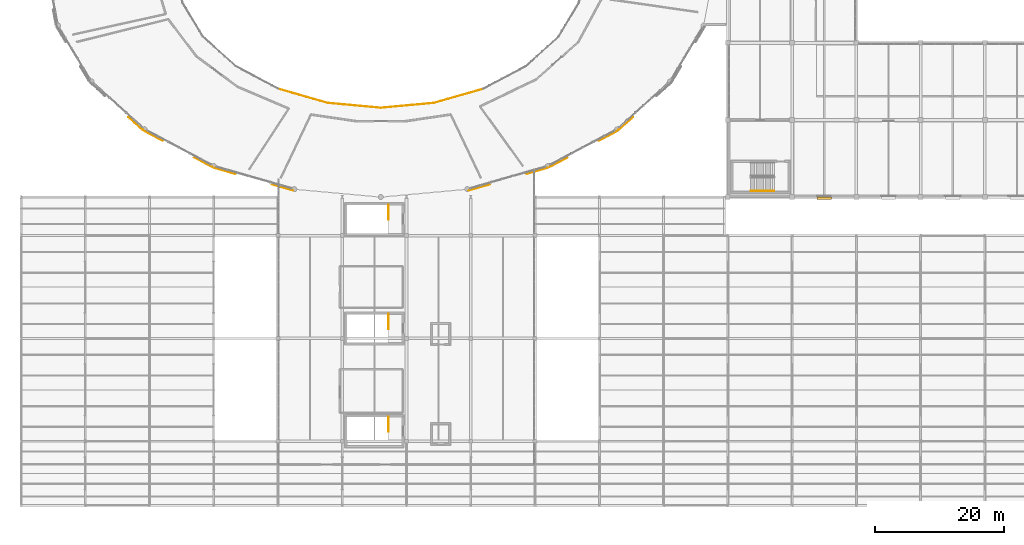
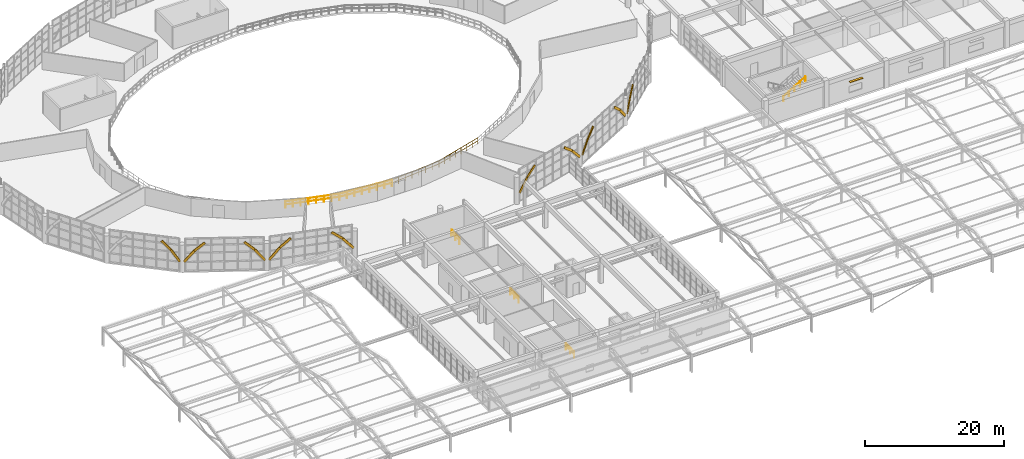
# One storey, part 99 of 109: 20 coverings, 8 railings, 1 shading device.
"""IFC4 building model written with IfcOpenShell, lengths in metres."""

import ifcopenshell
import ifcopenshell.guid

model = None  # the IFC model being written
_history = None  # IfcOwnerHistory: only IFC2X3 demands one
_inside = {}  # id of a spatial element -> (the spatial element, [elements in it])
_under = {}  # id of a project, library or spatial element -> (it, [spatial elements below it])
_declared = {}  # id of a project -> (the project, [libraries it declares])
_typed = {}  # id of a type object -> (the type object, [elements of that type])
_made_of = {}  # id of a material, layer set ... -> (it, [elements and type objects made of it])


def new_model(schema):
    """Start an empty IFC model of exactly this schema.

    Asked for "IFC4X3", IfcOpenShell would pick the latest addendum, in which some entities
    have other attributes; the version numbers below select the first issue.
    IFC2X3 requires an IfcOwnerHistory on every rooted entity: one is made here for all.
    """
    global model, _history
    if schema == "IFC4X3":
        model = ifcopenshell.file(schema_version=(4, 3, 0, 0))
    else:
        model = ifcopenshell.file(schema=schema)
    _inside.clear()
    _under.clear()
    _declared.clear()
    _typed.clear()
    _made_of.clear()
    _history = None
    if model.schema == "IFC2X3":
        org = make("IfcOrganization", Name="unknown")
        user = make(
            "IfcPersonAndOrganization",
            ThePerson=make("IfcPerson", FamilyName="unknown"),
            TheOrganization=org,
        )
        app = make(
            "IfcApplication",
            ApplicationDeveloper=org,
            Version="unknown",
            ApplicationFullName="unknown",
            ApplicationIdentifier="unknown",
        )
        _history = make(
            "IfcOwnerHistory",
            OwningUser=user,
            OwningApplication=app,
            ChangeAction="ADDED",
            CreationDate=0,
        )
    return model


def make(cls, **values):
    """One entity of the class cls with the attributes given. An attribute that is None is left unset."""
    return model.create_entity(
        cls, **{name: value for name, value in values.items() if value is not None}
    )


def rooted(cls, **values):
    """An entity with a GlobalId (a new one), such as an element, a storey or a relation."""
    return make(cls, GlobalId=ifcopenshell.guid.new(), OwnerHistory=_history, **values)


def si_unit(unit_type, name, prefix=None):
    """IfcSIUnit, for example si_unit("LENGTHUNIT", "METRE", prefix="MILLI")."""
    return make("IfcSIUnit", UnitType=unit_type, Prefix=prefix, Name=name)


def assignment(units):
    """IfcUnitAssignment: the units of a project."""
    return None if units is None else make("IfcUnitAssignment", Units=units)


def point(xyz):
    """IfcCartesianPoint."""
    return None if xyz is None else make("IfcCartesianPoint", Coordinates=xyz)


def direction(xyz):
    """IfcDirection."""
    return None if xyz is None else make("IfcDirection", DirectionRatios=xyz)


def frame(location, z_axis=None, x_axis=None):
    """IfcAxis2Placement3D, a coordinate frame: its origin and axes. An axis left out is left unset."""
    return make(
        "IfcAxis2Placement3D",
        Location=point(location),
        Axis=direction(z_axis),
        RefDirection=direction(x_axis),
    )


def frame_2d(location, x_axis=None):
    """IfcAxis2Placement2D, a coordinate frame in the plane: its origin and x axis."""
    return make(
        "IfcAxis2Placement2D", Location=point(location), RefDirection=direction(x_axis)
    )


def origin():
    """The frame at (0, 0, 0) with its axes left unset."""
    return frame((0.0, 0.0, 0.0))


def origin_2d():
    """The frame at (0, 0) in the plane with its x axis left unset."""
    return frame_2d((0.0, 0.0))


def place(relative_to, where):
    """IfcLocalPlacement: puts the frame where relative to a parent placement (None: the world)."""
    return make(
        "IfcLocalPlacement", PlacementRelTo=relative_to, RelativePlacement=where
    )


def context(
    kind, dimensions, precision=None, world=None, true_north=None, identifier=None
):
    """IfcGeometricRepresentationContext, for example the 3D "Model" context."""
    return make(
        "IfcGeometricRepresentationContext",
        ContextIdentifier=identifier,
        ContextType=kind,
        CoordinateSpaceDimension=dimensions,
        Precision=precision,
        WorldCoordinateSystem=world,
        TrueNorth=true_north,
    )


def subcontext(parent, identifier, kind, view, scale=None):
    """IfcGeometricRepresentationSubContext, for example "Body" below "Model"."""
    return make(
        "IfcGeometricRepresentationSubContext",
        ContextIdentifier=identifier,
        ContextType=kind,
        ParentContext=parent,
        TargetScale=scale,
        TargetView=view,
    )


def project(units=None, contexts=None):
    """IfcProject with its units and contexts."""
    return rooted(
        "IfcProject",
        Name="project",
        RepresentationContexts=contexts,
        UnitsInContext=assignment(units),
    )


def spatial(cls, under=None, at=None, **own):
    """A site, building, storey or space (cls), placed at a placement, below another one or the project."""
    s = rooted(cls, ObjectPlacement=at, **own)
    if under is not None:
        _under.setdefault(under.id(), (under, []))[1].append(s)
    return s


def profile(cls, at=None, kind="AREA", **sizes):
    """A parametric profile (cls). Its sizes go by their IFC names, for example OverallWidth=200.0."""
    return make(cls, ProfileType=kind, Position=at, **sizes)


def rectangle(**sizes):
    """IfcRectangleProfileDef."""
    return profile("IfcRectangleProfileDef", **sizes)


def circle(**sizes):
    """IfcCircleProfileDef."""
    return profile("IfcCircleProfileDef", **sizes)


def extrude(swept, where, along, depth):
    """IfcExtrudedAreaSolid: the profile swept, set in the frame where, extruded along a direction by depth."""
    return make(
        "IfcExtrudedAreaSolid",
        SweptArea=swept,
        Position=where,
        ExtrudedDirection=direction(along),
        Depth=depth,
    )


def shape(context_of_items, identifier, shape_type, items):
    """IfcShapeRepresentation: the items that make up one representation, for example the "Body"."""
    return make(
        "IfcShapeRepresentation",
        ContextOfItems=context_of_items,
        RepresentationIdentifier=identifier,
        RepresentationType=shape_type,
        Items=items,
    )


def material(Name=None, Category=None):
    """IfcMaterial."""
    return make("IfcMaterial", Name=Name, Category=Category)


def layer(
    of_material, thickness, ventilated=None, Name=None, Category=None, Priority=None
):
    """IfcMaterialLayer: one layer of a wall or slab, of a material (None: an air gap)."""
    return make(
        "IfcMaterialLayer",
        Material=of_material,
        LayerThickness=thickness,
        IsVentilated=ventilated,
        Name=Name,
        Category=Category,
        Priority=Priority,
    )


def layer_set(layers, Name=None):
    """IfcMaterialLayerSet."""
    return make("IfcMaterialLayerSet", MaterialLayers=layers, LayerSetName=Name)


def made_of(thing, what):
    """Note that an element or type object is made of a material, layer set ...; save() writes the relation."""
    if what is not None:
        _made_of.setdefault(what.id(), (what, []))[1].append(thing)
    return thing


def type_object(cls, material=None, **own):
    """A type object (cls), such as IfcWallType, which elements share."""
    return made_of(rooted(cls, **own), material)


def element(
    cls,
    number,
    at=None,
    inside=None,
    cuts=None,
    type_object=None,
    material=None,
    context=None,
    identifier="Body",
    shape_type=None,
    held_by="IfcProductDefinitionShape",
    body=None,
    shapes=None,
    **own,
):
    """One element of the class cls, such as IfcWall. Its Tag is "e" and its number.

    at: its placement. inside: the storey or other place that contains it. cuts: it is an
    opening in that element (IfcRelVoidsElement). A single representation is given by context,
    identifier, shape_type and body (its items); several are given by shapes. held_by: the class
    of the entity that holds the representations. save() writes the other relations.
    """
    e = rooted(cls, Tag="e%d" % number, ObjectPlacement=at, **own)
    if body is not None:
        shapes = [shape(context, identifier, shape_type, body)]
    if shapes is not None:
        e.Representation = make(held_by, Representations=shapes)
    if inside is not None:
        _inside.setdefault(inside.id(), (inside, []))[1].append(e)
    if cuts is not None:
        rooted(
            "IfcRelVoidsElement", RelatingBuildingElement=cuts, RelatedOpeningElement=e
        )
    if type_object is not None:
        _typed.setdefault(type_object.id(), (type_object, []))[1].append(e)
    return made_of(e, material)


def aggregate(whole, parts):
    """IfcRelAggregates: a whole, such as a stair, and the parts it consists of."""
    return rooted("IfcRelAggregates", RelatingObject=whole, RelatedObjects=parts)


def save(model, path):
    """Write the relations noted so far, then the file.

    IfcRelAggregates (storeys below a building ...), IfcRelContainedInSpatialStructure (elements
    in a storey), IfcRelDefinesByType, IfcRelAssociatesMaterial and IfcRelDeclares: one each for
    every whole, place, type object, material and project.
    """
    for whole, parts in _under.values():
        aggregate(whole, parts)
    for where, things in _inside.values():
        rooted(
            "IfcRelContainedInSpatialStructure",
            RelatedElements=things,
            RelatingStructure=where,
        )
    for kind, things in _typed.values():
        rooted("IfcRelDefinesByType", RelatedObjects=things, RelatingType=kind)
    for what, things in _made_of.values():
        rooted("IfcRelAssociatesMaterial", RelatedObjects=things, RelatingMaterial=what)
    for by, libraries in _declared.values():
        rooted("IfcRelDeclares", RelatingContext=by, RelatedDefinitions=libraries)
    model.write(path)


model = new_model("IFC4")

# Units and contexts
model_context = context("Model", 3, precision=1e-05, world=origin(), true_north=direction((0.0, 1.0)))
body_context = subcontext(model_context, "Body", "Model", "MODEL_VIEW")
ifc_project = project(units=[si_unit("LENGTHUNIT", "METRE"), si_unit("AREAUNIT", "SQUARE_METRE"), si_unit("VOLUMEUNIT", "CUBIC_METRE"), si_unit("PLANEANGLEUNIT", "RADIAN"), si_unit("MASSUNIT", "GRAM", prefix="KILO")], contexts=[model_context])

# Site, building, storey
site_placement = place(None, origin())
site = spatial("IfcSite", under=ifc_project, at=site_placement, CompositionType="ELEMENT")
building_placement = place(site_placement, origin())
building = spatial("IfcBuilding", under=site, at=building_placement, Name="Kivolera Central Railway Station", CompositionType="ELEMENT")
storey_placement = place(building_placement, frame((0.0, 0.0, 9.60009765625)))
storey = spatial("IfcBuildingStorey", under=building, at=storey_placement, Name="L02", CompositionType="ELEMENT", Elevation=9.60009765625)

# Shading device
ifc_material_1 = material(Name="Anodised aluminium", Category="aluminium")
ifc_layer_1 = layer(ifc_material_1, 0.080078125, Name="Anodised aluminium")
ifc_layer_set_1 = layer_set([ifc_layer_1], Name="Anodised aluminium")
shading_device_type = type_object("IfcShadingDeviceType", Name="BS-LVR-B", PredefinedType="JALOUSIE", material=ifc_layer_set_1)
shading_device_placement = place(storey_placement, frame((133.0, 53.80810546875, 3.009765625), z_axis=(0.0, 0.0, 1.0), x_axis=(1.0, 0.0, 0.0)))
element("IfcShadingDevice", 1, at=shading_device_placement, inside=storey, type_object=shading_device_type, Name="L02 South Monsoon Window Sun-Louvre 128", PredefinedType="JALOUSIE", context=body_context, shape_type="SweptSolid", body=[
    extrude(rectangle(XDim=2.199951171875, YDim=0.39990234375, at=origin_2d()), origin(), (0.0, 0.0, 1.0), 0.080078125),
])

# Coverings
ifc_material_2 = material(Name="Precast concrete C40/50", Category="concrete")
ifc_layer_2 = layer(ifc_material_2, 0.090087890625, Name="Precast concrete C40/50")
ifc_layer_set_2 = layer_set([ifc_layer_2], Name="Precast concrete C40/50")
covering_type = type_object("IfcCoveringType", Name="COV-CLAUSTRA-90", PredefinedType="CLADDING", material=ifc_layer_set_2)
covering_1_placement = place(storey_placement, frame((25.35498046875, 65.89208984375, 4.371826171875), z_axis=(0.523601648239, -0.473064972216, -0.708555464324), x_axis=(-0.669922245859, -0.742431265844, 0.0)))
element("IfcCovering", 2, at=covering_1_placement, inside=storey, type_object=covering_type, Name="Oval Lantern Arch Spandrel Extrados Trim 15.5", PredefinedType="CLADDING", context=body_context, shape_type="SweptSolid", body=[
    extrude(rectangle(XDim=0.090087890625, YDim=0.3798828125, at=origin_2d()), frame((0.0, 0.0, -0.95947265625)), (0.0, 0.0, 1.0), 1.9189453125),
])
covering_2_placement = place(storey_placement, frame((26.37109375, 64.97509765625, 2.724853515625), z_axis=(0.431133332814, -0.388705698832, -0.814267725648), x_axis=(-0.669922245859, -0.742431265844, 0.0)))
element("IfcCovering", 3, at=covering_2_placement, inside=storey, type_object=covering_type, Name="Oval Lantern Arch Spandrel Extrados Trim 15.6", PredefinedType="CLADDING", context=body_context, shape_type="SweptSolid", body=[
    extrude(rectangle(XDim=0.090087890625, YDim=0.3798828125, at=origin_2d()), frame((0.0, 0.0, -1.16650390625)), (0.0, 0.0, 1.0), 2.3330078125),
])
covering_3_placement = place(storey_placement, frame((27.992919921875, 63.85009765625, 2.72998046875), z_axis=(0.545817252017, -0.289667988009, 0.786241683024), x_axis=(-0.469119253064, -0.88313482912, 0.0)))
element("IfcCovering", 4, at=covering_3_placement, inside=storey, type_object=covering_type, Name="Oval Lantern Arch Spandrel Extrados Trim 16.1", PredefinedType="CLADDING", context=body_context, shape_type="SweptSolid", body=[
    extrude(rectangle(XDim=0.090087890625, YDim=0.3798828125, at=origin_2d()), frame((0.0, 0.0, -1.20849609375)), (0.0, 0.0, 1.0), 2.4169921875),
])
covering_4_placement = place(storey_placement, frame((29.323974609375, 63.14306640625, 4.3759765625), z_axis=(0.652769351274, -0.346690854146, 0.673570802283), x_axis=(-0.469119253064, -0.88313482912, 0.0)))
element("IfcCovering", 5, at=covering_4_placement, inside=storey, type_object=covering_type, Name="Oval Lantern Arch Spandrel Extrados Trim 16.2", PredefinedType="CLADDING", context=body_context, shape_type="SweptSolid", body=[
    extrude(rectangle(XDim=0.090087890625, YDim=0.3798828125, at=origin_2d()), frame((0.0, 0.0, -1.009521484375)), (0.0, 0.0, 1.0), 2.01904296875),
])
covering_5_placement = place(storey_placement, frame((35.666015625, 59.77392578125, 4.3759765625), z_axis=(0.653053446153, -0.346578781081, -0.673353061158), x_axis=(-0.469119253064, -0.88313482912, 0.0)))
element("IfcCovering", 6, at=covering_5_placement, inside=storey, type_object=covering_type, Name="Oval Lantern Arch Spandrel Extrados Trim 16.5", PredefinedType="CLADDING", context=body_context, shape_type="SweptSolid", body=[
    extrude(rectangle(XDim=0.090087890625, YDim=0.3798828125, at=origin_2d()), frame((0.0, 0.0, -1.010009765625)), (0.0, 0.0, 1.0), 2.02001953125),
])
covering_6_placement = place(storey_placement, frame((36.998046875, 59.06689453125, 2.72998046875), z_axis=(0.545526623994, -0.289733411997, -0.786419259992), x_axis=(-0.469119253064, -0.88313482912, 0.0)))
element("IfcCovering", 7, at=covering_6_placement, inside=storey, type_object=covering_type, Name="Oval Lantern Arch Spandrel Extrados Trim 16.6", PredefinedType="CLADDING", context=body_context, shape_type="SweptSolid", body=[
    extrude(rectangle(XDim=0.090087890625, YDim=0.3798828125, at=origin_2d()), frame((0.0, 0.0, -1.2080078125)), (0.0, 0.0, 1.0), 2.416015625),
])
covering_7_placement = place(storey_placement, frame((38.946044921875, 58.287109375, 2.73388671875), z_axis=(0.620126449154, -0.177753496044, 0.76409873819), x_axis=(-0.275632123108, -0.961263196378, 0.0)))
element("IfcCovering", 8, at=covering_7_placement, inside=storey, type_object=covering_type, Name="Oval Lantern Arch Spandrel Extrados Trim 17.1", PredefinedType="CLADDING", context=body_context, shape_type="SweptSolid", body=[
    extrude(rectangle(XDim=0.090087890625, YDim=0.3798828125, at=origin_2d()), frame((0.0, 0.0, -1.24365234375)), (0.0, 0.0, 1.0), 2.487060546875),
])
covering_8_placement = place(storey_placement, frame((40.501953125, 57.840087890625, 4.37890625), z_axis=(0.733008389459, -0.210246403845, 0.646912011523), x_axis=(-0.275632123108, -0.961263196378, 0.0)))
element("IfcCovering", 9, at=covering_8_placement, inside=storey, type_object=covering_type, Name="Oval Lantern Arch Spandrel Extrados Trim 17.2", PredefinedType="CLADDING", context=body_context, shape_type="SweptSolid", body=[
    extrude(rectangle(XDim=0.090087890625, YDim=0.3798828125, at=origin_2d()), frame((0.0, 0.0, -1.051025390625)), (0.0, 0.0, 1.0), 2.10205078125),
])
covering_9_placement = place(storey_placement, frame((47.89794921875, 55.719970703125, 4.37890625), z_axis=(0.733228366786, -0.210173111939, -0.646686496811), x_axis=(-0.275632123108, -0.961263196378, 0.0)))
element("IfcCovering", 10, at=covering_9_placement, inside=storey, type_object=covering_type, Name="Oval Lantern Arch Spandrel Extrados Trim 17.5", PredefinedType="CLADDING", context=body_context, shape_type="SweptSolid", body=[
    extrude(rectangle(XDim=0.090087890625, YDim=0.3798828125, at=origin_2d()), frame((0.0, 0.0, -1.051513671875)), (0.0, 0.0, 1.0), 2.10302734375),
])
for number, where, z_axis, x_axis, name in (
    (11, (49.4541015625, 55.27294921875, 2.73388671875), (0.620082073923, -0.178142904978, -0.764044060906), (-0.275632123108, -0.961263196378, 0.0), "Oval Lantern Arch Spandrel Extrados Trim 17.6"),
    (12, (78.5458984375, 55.27294921875, 2.73388671875), (0.620082073923, 0.178142904978, 0.764044060906), (0.275632123108, -0.961263196378, 0.0), "Oval Lantern Arch Spandrel Extrados Trim 20.1"),
):
    element("IfcCovering", number, at=place(storey_placement, frame(where, z_axis=z_axis, x_axis=x_axis)), inside=storey, type_object=covering_type, Name=name, PredefinedType="CLADDING", context=body_context, shape_type="SweptSolid", body=[
        extrude(rectangle(XDim=0.090087890625, YDim=0.3798828125, at=origin_2d()), frame((0.0, 0.0, -1.24365234375)), (0.0, 0.0, 1.0), 2.487060546875),
    ])
covering_10_placement = place(storey_placement, frame((80.10205078125, 55.719970703125, 4.37890625), z_axis=(0.733228366786, 0.210173111939, 0.646686496811), x_axis=(0.275632123108, -0.961263196378, 0.0)))
element("IfcCovering", 13, at=covering_10_placement, inside=storey, type_object=covering_type, Name="Oval Lantern Arch Spandrel Extrados Trim 20.2", PredefinedType="CLADDING", context=body_context, shape_type="SweptSolid", body=[
    extrude(rectangle(XDim=0.090087890625, YDim=0.3798828125, at=origin_2d()), frame((0.0, 0.0, -1.051513671875)), (0.0, 0.0, 1.0), 2.10302734375),
])
covering_11_placement = place(storey_placement, frame((87.498046875, 57.840087890625, 4.37890625), z_axis=(0.733008389459, 0.210246403845, -0.646912011523), x_axis=(0.275632123108, -0.961263196378, 0.0)))
element("IfcCovering", 14, at=covering_11_placement, inside=storey, type_object=covering_type, Name="Oval Lantern Arch Spandrel Extrados Trim 20.5", PredefinedType="CLADDING", context=body_context, shape_type="SweptSolid", body=[
    extrude(rectangle(XDim=0.090087890625, YDim=0.3798828125, at=origin_2d()), frame((0.0, 0.0, -1.051025390625)), (0.0, 0.0, 1.0), 2.10205078125),
])
covering_12_placement = place(storey_placement, frame((89.053955078125, 58.287109375, 2.73388671875), z_axis=(0.620126449154, 0.177753496044, -0.76409873819), x_axis=(0.275632123108, -0.961263196378, 0.0)))
element("IfcCovering", 15, at=covering_12_placement, inside=storey, type_object=covering_type, Name="Oval Lantern Arch Spandrel Extrados Trim 20.6", PredefinedType="CLADDING", context=body_context, shape_type="SweptSolid", body=[
    extrude(rectangle(XDim=0.090087890625, YDim=0.3798828125, at=origin_2d()), frame((0.0, 0.0, -1.24365234375)), (0.0, 0.0, 1.0), 2.487060546875),
])
covering_13_placement = place(storey_placement, frame((91.001953125, 59.06689453125, 2.72998046875), z_axis=(0.545526623994, 0.289733411997, 0.786419259992), x_axis=(0.469119253064, -0.88313482912, 0.0)))
element("IfcCovering", 16, at=covering_13_placement, inside=storey, type_object=covering_type, Name="Oval Lantern Arch Spandrel Extrados Trim 21.1", PredefinedType="CLADDING", context=body_context, shape_type="SweptSolid", body=[
    extrude(rectangle(XDim=0.090087890625, YDim=0.3798828125, at=origin_2d()), frame((0.0, 0.0, -1.2080078125)), (0.0, 0.0, 1.0), 2.416015625),
])
covering_14_placement = place(storey_placement, frame((92.333984375, 59.77392578125, 4.3759765625), z_axis=(0.653053446153, 0.346578781081, 0.673353061158), x_axis=(0.469119253064, -0.88313482912, 0.0)))
element("IfcCovering", 17, at=covering_14_placement, inside=storey, type_object=covering_type, Name="Oval Lantern Arch Spandrel Extrados Trim 21.2", PredefinedType="CLADDING", context=body_context, shape_type="SweptSolid", body=[
    extrude(rectangle(XDim=0.090087890625, YDim=0.3798828125, at=origin_2d()), frame((0.0, 0.0, -1.010009765625)), (0.0, 0.0, 1.0), 2.02001953125),
])
covering_15_placement = place(storey_placement, frame((98.676025390625, 63.14306640625, 4.3759765625), z_axis=(0.652769351274, 0.346690854146, -0.673570802283), x_axis=(0.469119253064, -0.88313482912, 0.0)))
element("IfcCovering", 18, at=covering_15_placement, inside=storey, type_object=covering_type, Name="Oval Lantern Arch Spandrel Extrados Trim 21.5", PredefinedType="CLADDING", context=body_context, shape_type="SweptSolid", body=[
    extrude(rectangle(XDim=0.090087890625, YDim=0.3798828125, at=origin_2d()), frame((0.0, 0.0, -1.009521484375)), (0.0, 0.0, 1.0), 2.01904296875),
])
covering_16_placement = place(storey_placement, frame((100.007080078125, 63.85009765625, 2.72998046875), z_axis=(0.545817252017, 0.289667988009, -0.786241683024), x_axis=(0.469119253064, -0.88313482912, 0.0)))
element("IfcCovering", 19, at=covering_16_placement, inside=storey, type_object=covering_type, Name="Oval Lantern Arch Spandrel Extrados Trim 21.6", PredefinedType="CLADDING", context=body_context, shape_type="SweptSolid", body=[
    extrude(rectangle(XDim=0.090087890625, YDim=0.3798828125, at=origin_2d()), frame((0.0, 0.0, -1.20849609375)), (0.0, 0.0, 1.0), 2.4169921875),
])
covering_17_placement = place(storey_placement, frame((101.62890625, 64.97509765625, 2.724853515625), z_axis=(0.431133332814, 0.388705698832, 0.814267725648), x_axis=(0.669922245859, -0.742431265844, 0.0)))
element("IfcCovering", 20, at=covering_17_placement, inside=storey, type_object=covering_type, Name="Oval Lantern Arch Spandrel Extrados Trim 22.1", PredefinedType="CLADDING", context=body_context, shape_type="SweptSolid", body=[
    extrude(rectangle(XDim=0.090087890625, YDim=0.3798828125, at=origin_2d()), frame((0.0, 0.0, -1.16650390625)), (0.0, 0.0, 1.0), 2.3330078125),
])
covering_18_placement = place(storey_placement, frame((102.64501953125, 65.89208984375, 4.371826171875), z_axis=(0.523601648239, 0.473064972216, 0.708555464324), x_axis=(0.669922245859, -0.742431265844, 0.0)))
element("IfcCovering", 21, at=covering_18_placement, inside=storey, type_object=covering_type, Name="Oval Lantern Arch Spandrel Extrados Trim 22.2", PredefinedType="CLADDING", context=body_context, shape_type="SweptSolid", body=[
    extrude(rectangle(XDim=0.090087890625, YDim=0.3798828125, at=origin_2d()), frame((0.0, 0.0, -0.95947265625)), (0.0, 0.0, 1.0), 1.9189453125),
])

# Railings
ifc_layer_3 = layer(ifc_material_1, 0.048095703125, Name="Anodised aluminium")
ifc_layer_set_3 = layer_set([ifc_layer_3], Name="Anodised aluminium")
railing_type_1 = type_object("IfcRailingType", Name="RL-INT-BAL-1130", PredefinedType="BALUSTRADE", material=ifc_layer_set_3)
railing_1_placement = place(storey_placement, frame((48.02490234375, 70.843994140625, 0.0)))
element("IfcRailing", 22, at=railing_1_placement, inside=storey, type_object=railing_type_1, Name="L02 Concourse Upper Gallery Balustrade 17", PredefinedType="BALUSTRADE", context=body_context, shape_type="SweptSolid", body=[
    extrude(circle(Radius=0.02392578125, at=origin_2d()), frame((0.0, 0.0, 1.10595703125), z_axis=(0.961252265472, -0.275670241638, 0.0), x_axis=(0.275670241638, 0.961252265472, 0.0)), (0.0, 0.0, 1.0), 8.0166015625),
    extrude(circle(Radius=0.02392578125, at=origin_2d()), frame((0.0, 0.0, 0.56494140625), z_axis=(0.961252265472, -0.275670241638, 0.0), x_axis=(0.275670241638, 0.961252265472, 0.0)), (0.0, 0.0, 1.0), 8.0166015625),
    extrude(circle(Radius=0.02099609375, at=origin_2d()), origin(), (0.0, 0.0, 1.0), 1.081787109375),
    extrude(circle(Radius=0.02099609375, at=origin_2d()), frame((1.100830078125, -0.315673828125, 0.0)), (0.0, 0.0, 1.0), 1.081787109375),
    extrude(circle(Radius=0.02099609375, at=origin_2d()), frame((2.20166015625, -0.63134765625, 0.0)), (0.0, 0.0, 1.0), 1.081787109375),
    extrude(circle(Radius=0.02099609375, at=origin_2d()), frame((3.302490234375, -0.947021484375, 0.0)), (0.0, 0.0, 1.0), 1.081787109375),
    extrude(circle(Radius=0.02099609375, at=origin_2d()), frame((4.403564453125, -1.262939453125, 0.0)), (0.0, 0.0, 1.0), 1.081787109375),
    extrude(circle(Radius=0.02099609375, at=origin_2d()), frame((5.50439453125, -1.57861328125, 0.0)), (0.0, 0.0, 1.0), 1.081787109375),
    extrude(circle(Radius=0.02099609375, at=origin_2d()), frame((6.605224609375, -1.894287109375, 0.0)), (0.0, 0.0, 1.0), 1.081787109375),
    extrude(circle(Radius=0.02099609375, at=origin_2d()), frame((7.7060546875, -2.2099609375, 0.0)), (0.0, 0.0, 1.0), 1.081787109375),
])
railing_2_placement = place(storey_placement, frame((55.73095703125, 68.634033203125, 0.0)))
element("IfcRailing", 23, at=railing_2_placement, inside=storey, type_object=railing_type_1, Name="L02 Concourse Upper Gallery Balustrade 18", PredefinedType="BALUSTRADE", context=body_context, shape_type="SweptSolid", body=[
    extrude(circle(Radius=0.02392578125, at=origin_2d()), frame((0.0, 0.0, 1.10595703125), z_axis=(0.995866894987, -0.09082470737, 0.0), x_axis=(0.09082470737, 0.995866894987, 0.0)), (0.0, 0.0, 1.0), 8.303466796875),
    extrude(circle(Radius=0.02392578125, at=origin_2d()), frame((0.0, 0.0, 0.56494140625), z_axis=(0.995866894987, -0.09082470737, 0.0), x_axis=(0.09082470737, 0.995866894987, 0.0)), (0.0, 0.0, 1.0), 8.303466796875),
    extrude(circle(Radius=0.02099609375, at=origin_2d()), origin(), (0.0, 0.0, 1.0), 1.081787109375),
    extrude(circle(Radius=0.02099609375, at=origin_2d()), frame((1.181396484375, -0.107666015625, 0.0)), (0.0, 0.0, 1.0), 1.081787109375),
    extrude(circle(Radius=0.02099609375, at=origin_2d()), frame((2.362548828125, -0.215576171875, 0.0)), (0.0, 0.0, 1.0), 1.081787109375),
    extrude(circle(Radius=0.02099609375, at=origin_2d()), frame((3.5439453125, -0.3232421875, 0.0)), (0.0, 0.0, 1.0), 1.081787109375),
    extrude(circle(Radius=0.02099609375, at=origin_2d()), frame((4.72509765625, -0.430908203125, 0.0)), (0.0, 0.0, 1.0), 1.081787109375),
    extrude(circle(Radius=0.02099609375, at=origin_2d()), frame((5.906494140625, -0.53857421875, 0.0)), (0.0, 0.0, 1.0), 1.081787109375),
    extrude(circle(Radius=0.02099609375, at=origin_2d()), frame((7.087646484375, -0.646484375, 0.0)), (0.0, 0.0, 1.0), 1.081787109375),
    extrude(circle(Radius=0.02099609375, at=origin_2d()), frame((8.26904296875, -0.754150390625, 0.0)), (0.0, 0.0, 1.0), 1.081787109375),
])
railing_3_placement = place(storey_placement, frame((64.0, 67.8798828125, 0.0)))
element("IfcRailing", 24, at=railing_3_placement, inside=storey, type_object=railing_type_1, Name="L02 Concourse Upper Gallery Balustrade 19", PredefinedType="BALUSTRADE", context=body_context, shape_type="SweptSolid", body=[
    extrude(circle(Radius=0.02392578125, at=origin_2d()), frame((0.0, 0.0, 1.10595703125), z_axis=(0.995866894987, 0.09082470737, 0.0), x_axis=(-0.09082470737, 0.995866894987, 0.0)), (0.0, 0.0, 1.0), 8.303466796875),
    extrude(circle(Radius=0.02392578125, at=origin_2d()), frame((0.0, 0.0, 0.56494140625), z_axis=(0.995866894987, 0.09082470737, 0.0), x_axis=(-0.09082470737, 0.995866894987, 0.0)), (0.0, 0.0, 1.0), 8.303466796875),
    extrude(circle(Radius=0.02099609375, at=origin_2d()), origin(), (0.0, 0.0, 1.0), 1.081787109375),
    extrude(circle(Radius=0.02099609375, at=origin_2d()), frame((1.181396484375, 0.107666015625, 0.0)), (0.0, 0.0, 1.0), 1.081787109375),
    extrude(circle(Radius=0.02099609375, at=origin_2d()), frame((2.362548828125, 0.215576171875, 0.0)), (0.0, 0.0, 1.0), 1.081787109375),
    extrude(circle(Radius=0.02099609375, at=origin_2d()), frame((3.5439453125, 0.3232421875, 0.0)), (0.0, 0.0, 1.0), 1.081787109375),
    extrude(circle(Radius=0.02099609375, at=origin_2d()), frame((4.72509765625, 0.430908203125, 0.0)), (0.0, 0.0, 1.0), 1.081787109375),
    extrude(circle(Radius=0.02099609375, at=origin_2d()), frame((5.906494140625, 0.53857421875, 0.0)), (0.0, 0.0, 1.0), 1.081787109375),
    extrude(circle(Radius=0.02099609375, at=origin_2d()), frame((7.087646484375, 0.646484375, 0.0)), (0.0, 0.0, 1.0), 1.081787109375),
    extrude(circle(Radius=0.02099609375, at=origin_2d()), frame((8.26904296875, 0.754150390625, 0.0)), (0.0, 0.0, 1.0), 1.081787109375),
])
railing_4_placement = place(storey_placement, frame((72.26904296875, 68.634033203125, 0.0)))
element("IfcRailing", 25, at=railing_4_placement, inside=storey, type_object=railing_type_1, Name="L02 Concourse Upper Gallery Balustrade 20", PredefinedType="BALUSTRADE", context=body_context, shape_type="SweptSolid", body=[
    extrude(circle(Radius=0.02392578125, at=origin_2d()), frame((0.0, 0.0, 1.10595703125), z_axis=(0.961252265472, 0.275670241638, 0.0), x_axis=(-0.275670241638, 0.961252265472, 0.0)), (0.0, 0.0, 1.0), 8.0166015625),
    extrude(circle(Radius=0.02392578125, at=origin_2d()), frame((0.0, 0.0, 0.56494140625), z_axis=(0.961252265472, 0.275670241638, 0.0), x_axis=(-0.275670241638, 0.961252265472, 0.0)), (0.0, 0.0, 1.0), 8.0166015625),
    extrude(circle(Radius=0.02099609375, at=origin_2d()), origin(), (0.0, 0.0, 1.0), 1.081787109375),
    extrude(circle(Radius=0.02099609375, at=origin_2d()), frame((1.100830078125, 0.315673828125, 0.0)), (0.0, 0.0, 1.0), 1.081787109375),
    extrude(circle(Radius=0.02099609375, at=origin_2d()), frame((2.20166015625, 0.63134765625, 0.0)), (0.0, 0.0, 1.0), 1.081787109375),
    extrude(circle(Radius=0.02099609375, at=origin_2d()), frame((3.302490234375, 0.947021484375, 0.0)), (0.0, 0.0, 1.0), 1.081787109375),
    extrude(circle(Radius=0.02099609375, at=origin_2d()), frame((4.403564453125, 1.262939453125, 0.0)), (0.0, 0.0, 1.0), 1.081787109375),
    extrude(circle(Radius=0.02099609375, at=origin_2d()), frame((5.50439453125, 1.57861328125, 0.0)), (0.0, 0.0, 1.0), 1.081787109375),
    extrude(circle(Radius=0.02099609375, at=origin_2d()), frame((6.605224609375, 1.894287109375, 0.0)), (0.0, 0.0, 1.0), 1.081787109375),
    extrude(circle(Radius=0.02099609375, at=origin_2d()), frame((7.7060546875, 2.2099609375, 0.0)), (0.0, 0.0, 1.0), 1.081787109375),
])
ifc_layer_4 = layer(ifc_material_1, 0.048095703125, Name="Anodised aluminium")
ifc_layer_set_4 = layer_set([ifc_layer_4], Name="Anodised aluminium")
railing_type_2 = type_object("IfcRailingType", Name="RL-STAIR-GUARD", PredefinedType="GUARDRAIL", material=ifc_layer_set_4)
for number, where, name in (
    (26, (65.18994140625, 52.800048828125, 0.0), "L02 ST8 top well guard 1"),
    (27, (65.18994140625, 35.800048828125, 0.0), "L02 ST9 top well guard 1"),
    (28, (65.18994140625, 19.800048828125, 0.0), "L02 ST10 top well guard 1"),
):
    element("IfcRailing", number, at=place(storey_placement, frame(where)), inside=storey, type_object=railing_type_2, Name=name, PredefinedType="GUARDRAIL", context=body_context, shape_type="SweptSolid", body=[
        extrude(circle(Radius=0.02392578125, at=origin_2d()), frame((0.0, 0.0, 1.10595703125), z_axis=(0.0, -1.0, 0.0), x_axis=(1.0, 0.0, 0.0)), (0.0, 0.0, 1.0), 2.340087890625),
        extrude(circle(Radius=0.02392578125, at=origin_2d()), frame((0.0, 0.0, 0.56494140625), z_axis=(0.0, -1.0, 0.0), x_axis=(1.0, 0.0, 0.0)), (0.0, 0.0, 1.0), 2.340087890625),
        extrude(circle(Radius=0.02099609375, at=origin_2d()), origin(), (0.0, 0.0, 1.0), 1.081787109375),
        extrude(circle(Radius=0.02099609375, at=origin_2d()), frame((0.0, -1.169921875, 0.0)), (0.0, 0.0, 1.0), 1.081787109375),
        extrude(circle(Radius=0.02099609375, at=origin_2d()), frame((0.0, -2.340087890625, 0.0)), (0.0, 0.0, 1.0), 1.081787109375),
    ])
ifc_layer_5 = layer(ifc_material_1, 0.048095703125, Name="Anodised aluminium")
ifc_layer_set_5 = layer_set([ifc_layer_5], Name="Anodised aluminium")
railing_type_3 = type_object("IfcRailingType", Name="RL-STAIR-HAND", PredefinedType="HANDRAIL", material=ifc_layer_set_5)
railing_5_placement = place(storey_placement, frame((121.60009765625, 54.949951171875, 2.5712890625)))
element("IfcRailing", 29, at=railing_5_placement, inside=storey, type_object=railing_type_3, Name="L02 ST4 stair handrail 2", PredefinedType="HANDRAIL", context=body_context, shape_type="SweptSolid", body=[
    extrude(circle(Radius=0.02392578125, at=origin_2d()), frame((0.0, 0.0, 0.8759765625), z_axis=(0.852850264322, 0.0, 0.5221555579), x_axis=(0.0, 1.0, 0.0)), (0.0, 0.0, 1.0), 4.267822265625),
    extrude(circle(Radius=0.02099609375, at=origin_2d()), origin(), (0.0, 0.0, 1.0), 0.851806640625),
    extrude(circle(Radius=0.02099609375, at=origin_2d()), frame((0.909912109375, 0.0, 0.55712890625)), (0.0, 0.0, 1.0), 0.851806640625),
    extrude(circle(Radius=0.02099609375, at=origin_2d()), frame((1.81982421875, 0.0, 1.1142578125)), (0.0, 0.0, 1.0), 0.851806640625),
    extrude(circle(Radius=0.02099609375, at=origin_2d()), frame((2.72998046875, 0.0, 1.67138671875)), (0.0, 0.0, 1.0), 0.851806640625),
    extrude(circle(Radius=0.02099609375, at=origin_2d()), frame((3.639892578125, 0.0, 2.228515625)), (0.0, 0.0, 1.0), 0.851806640625),
])

save(model, "model.ifc")
